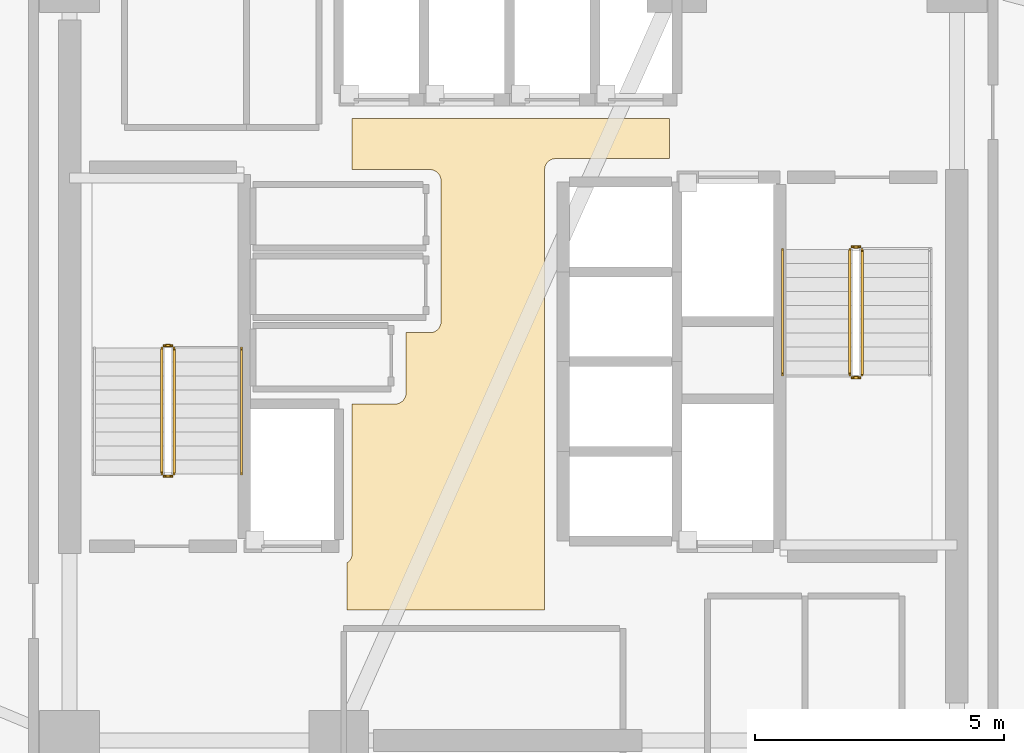
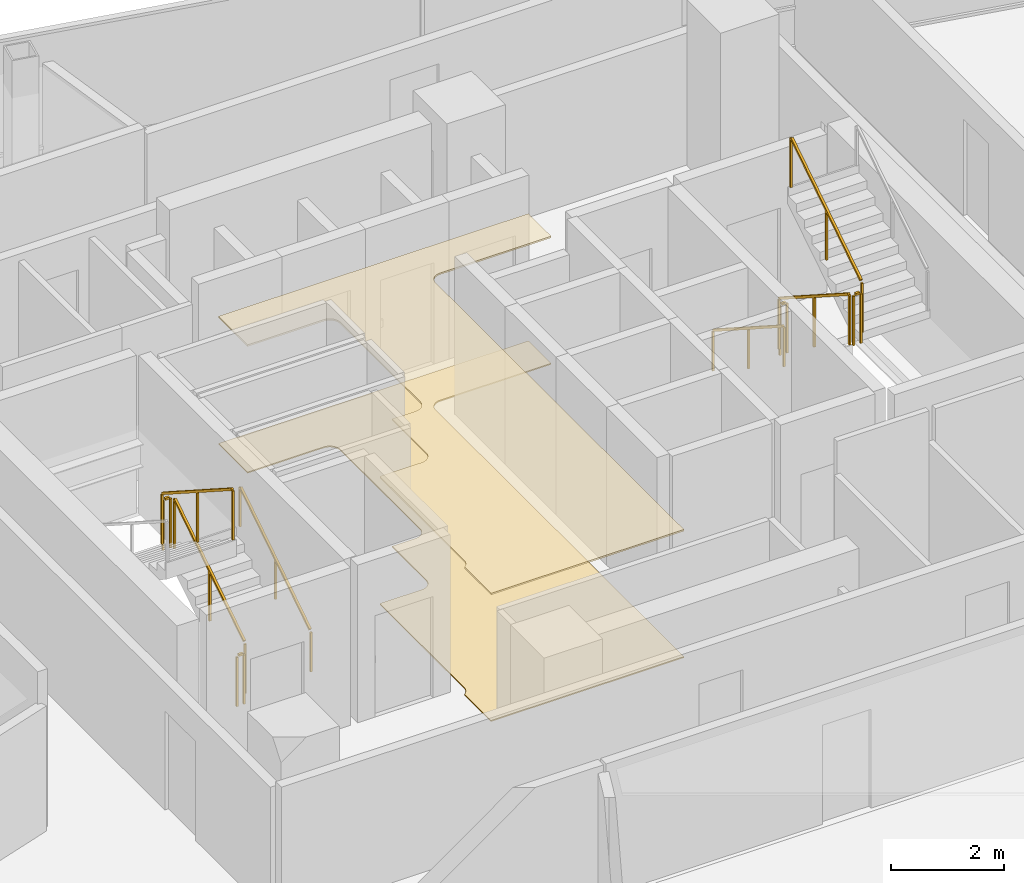
# One storey, part 16 of 17: 10 railings, 2 coverings.
"""IFC4 building model written with IfcOpenShell, lengths in metres."""

from ifc_helpers import new_model, si_unit, direction, frame, origin, origin_2d, place, context, subcontext, project, spatial, polyline, rectangle, outline, extrude, material, layer, layer_set, type_object, element, save


model = new_model("IFC4")

# Units and contexts
model_context = context("Model", 3, precision=1e-05, world=origin(), true_north=direction((0.0, 1.0)))
body_context = subcontext(model_context, "Body", "Model", "MODEL_VIEW")
ifc_project = project(units=[si_unit("LENGTHUNIT", "METRE"), si_unit("AREAUNIT", "SQUARE_METRE"), si_unit("VOLUMEUNIT", "CUBIC_METRE"), si_unit("PLANEANGLEUNIT", "RADIAN"), si_unit("MASSUNIT", "GRAM", prefix="KILO")], contexts=[model_context])

# Site, building, storey
site_placement = place(None, origin())
site = spatial("IfcSite", under=ifc_project, at=site_placement, CompositionType="ELEMENT")
building_placement = place(site_placement, origin())
building = spatial("IfcBuilding", under=site, at=building_placement, Name="Tharavind Bronze Gate", CompositionType="ELEMENT")
storey_placement = place(building_placement, frame((0.0, 0.0, 207.64990234375)))
storey = spatial("IfcBuildingStorey", under=building, at=storey_placement, Name="L53", CompositionType="ELEMENT", Elevation=207.64990234375)

# Coverings
ifc_material_1 = material(Name="Perforated Bronze Acoustic Panel", Category="bronze")
ifc_layer_1 = layer(ifc_material_1, 0.044921875)
ifc_layer_set_1 = layer_set([ifc_layer_1], Name="Perforated Bronze Acoustic Panel")
covering_type_1 = type_object("IfcCoveringType", Name="ACOUSTIC BRONZE BAFFLE CEILING", PredefinedType="CEILING", material=ifc_layer_set_1)
covering_1_placement = place(storey_placement, frame((0.0, 0.0, 2.75)))
element("IfcCovering", 1, at=covering_1_placement, inside=storey, type_object=covering_type_1, Name="L53-C-LL suspended ceiling", PredefinedType="CEILING", context=body_context, shape_type="SweptSolid", body=[
    extrude(outline(polyline([(-3.330078125, -4.97998046875), (0.6298828125, -4.97998046875), (0.6298828125, 3.85009765625), (0.631103515625, 3.87158203125), (0.63427734375, 3.892822265625), (0.639404296875, 3.913818359375), (0.646728515625, 3.93408203125), (0.656005859375, 3.95361328125), (0.6669921875, 3.97216796875), (0.679931640625, 3.989501953125), (0.6943359375, 4.005615234375), (0.71044921875, 4.02001953125), (0.727783203125, 4.032958984375), (0.746337890625, 4.0439453125), (0.765869140625, 4.05322265625), (0.7861328125, 4.060546875), (0.80712890625, 4.06591796875), (0.828369140625, 4.06884765625), (0.85009765625, 4.070068359375), (3.1298828125, 4.070068359375), (3.1298828125, 4.8798828125), (-3.22998046875, 4.8798828125), (-3.22998046875, 3.85009765625), (-1.669921875, 3.85009765625), (-1.6484375, 3.848876953125), (-1.627197265625, 3.845703125), (-1.606201171875, 3.840576171875), (-1.585693359375, 3.833251953125), (-1.56640625, 3.823974609375), (-1.5478515625, 3.81298828125), (-1.530517578125, 3.800048828125), (-1.514404296875, 3.78564453125), (-1.5, 3.76953125), (-1.487060546875, 3.752197265625), (-1.47607421875, 3.733642578125), (-1.466796875, 3.714111328125), (-1.45947265625, 3.69384765625), (-1.4541015625, 3.6728515625), (-1.451171875, 3.651611328125), (-1.449951171875, 3.6298828125), (-1.449951171875, 0.800048828125), (-1.451171875, 0.7783203125), (-1.4541015625, 0.757080078125), (-1.45947265625, 0.736083984375), (-1.466796875, 0.7158203125), (-1.47607421875, 0.6962890625), (-1.487060546875, 0.677734375), (-1.5, 0.660400390625), (-1.514404296875, 0.644287109375), (-1.530517578125, 0.6298828125), (-1.5478515625, 0.6171875), (-1.56640625, 0.60595703125), (-1.585693359375, 0.5966796875), (-1.606201171875, 0.589599609375), (-1.627197265625, 0.584228515625), (-1.6484375, 0.5810546875), (-1.669921875, 0.580078125), (-2.14990234375, 0.580078125), (-2.14990234375, -0.6298828125), (-2.151123046875, -0.651611328125), (-2.154296875, -0.6728515625), (-2.159423828125, -0.69384765625), (-2.166748046875, -0.714111328125), (-2.176025390625, -0.733642578125), (-2.18701171875, -0.752197265625), (-2.199951171875, -0.76953125), (-2.21435546875, -0.78564453125), (-2.23046875, -0.800048828125), (-2.247802734375, -0.81298828125), (-2.266357421875, -0.823974609375), (-2.285888671875, -0.833251953125), (-2.30615234375, -0.840576171875), (-2.3271484375, -0.845703125), (-2.348388671875, -0.848876953125), (-2.3701171875, -0.85009765625), (-3.22998046875, -0.85009765625), (-3.22998046875, -3.85009765625), (-3.231201171875, -3.87158203125), (-3.234130859375, -3.892822265625), (-3.239501953125, -3.913818359375), (-3.24658203125, -3.93408203125), (-3.256103515625, -3.95361328125), (-3.26708984375, -3.97216796875), (-3.27978515625, -3.989501953125), (-3.29443359375, -4.005615234375), (-3.310302734375, -4.02001953125), (-3.327880859375, -4.032958984375), (-3.330078125, -4.0341796875), (-3.330078125, -4.97998046875)])), origin(), (0.0, 0.0, 1.0), 0.03515625),
])
ifc_material_2 = material(Name="Honed Travertine Limestone", Category="masonry")
ifc_layer_2 = layer(ifc_material_2, 0.030029296875)
ifc_layer_set_2 = layer_set([ifc_layer_2], Name="Honed Travertine Limestone")
covering_type_2 = type_object("IfcCoveringType", Name="HONED LIMESTONE FLOORING", PredefinedType="FLOORING", material=ifc_layer_set_2)
covering_2_placement = place(storey_placement, origin())
element("IfcCovering", 2, at=covering_2_placement, inside=storey, type_object=covering_type_2, Name="L53-C-LL floor finish", PredefinedType="FLOORING", context=body_context, shape_type="SweptSolid", body=[
    extrude(outline(polyline([(-3.330078125, -4.97998046875), (0.6298828125, -4.97998046875), (0.6298828125, 3.85009765625), (0.631103515625, 3.87158203125), (0.63427734375, 3.892822265625), (0.639404296875, 3.913818359375), (0.646728515625, 3.93408203125), (0.656005859375, 3.95361328125), (0.6669921875, 3.97216796875), (0.679931640625, 3.989501953125), (0.6943359375, 4.005615234375), (0.71044921875, 4.02001953125), (0.727783203125, 4.032958984375), (0.746337890625, 4.0439453125), (0.765869140625, 4.05322265625), (0.7861328125, 4.060546875), (0.80712890625, 4.06591796875), (0.828369140625, 4.06884765625), (0.85009765625, 4.070068359375), (3.1298828125, 4.070068359375), (3.1298828125, 4.8798828125), (-3.22998046875, 4.8798828125), (-3.22998046875, 3.85009765625), (-1.669921875, 3.85009765625), (-1.6484375, 3.848876953125), (-1.627197265625, 3.845703125), (-1.606201171875, 3.840576171875), (-1.585693359375, 3.833251953125), (-1.56640625, 3.823974609375), (-1.5478515625, 3.81298828125), (-1.530517578125, 3.800048828125), (-1.514404296875, 3.78564453125), (-1.5, 3.76953125), (-1.487060546875, 3.752197265625), (-1.47607421875, 3.733642578125), (-1.466796875, 3.714111328125), (-1.45947265625, 3.69384765625), (-1.4541015625, 3.6728515625), (-1.451171875, 3.651611328125), (-1.449951171875, 3.6298828125), (-1.449951171875, 0.800048828125), (-1.451171875, 0.7783203125), (-1.4541015625, 0.757080078125), (-1.45947265625, 0.736083984375), (-1.466796875, 0.7158203125), (-1.47607421875, 0.6962890625), (-1.487060546875, 0.677734375), (-1.5, 0.660400390625), (-1.514404296875, 0.644287109375), (-1.530517578125, 0.6298828125), (-1.5478515625, 0.6171875), (-1.56640625, 0.60595703125), (-1.585693359375, 0.5966796875), (-1.606201171875, 0.589599609375), (-1.627197265625, 0.584228515625), (-1.6484375, 0.5810546875), (-1.669921875, 0.580078125), (-2.14990234375, 0.580078125), (-2.14990234375, -0.6298828125), (-2.151123046875, -0.651611328125), (-2.154296875, -0.6728515625), (-2.159423828125, -0.69384765625), (-2.166748046875, -0.714111328125), (-2.176025390625, -0.733642578125), (-2.18701171875, -0.752197265625), (-2.199951171875, -0.76953125), (-2.21435546875, -0.78564453125), (-2.23046875, -0.800048828125), (-2.247802734375, -0.81298828125), (-2.266357421875, -0.823974609375), (-2.285888671875, -0.833251953125), (-2.30615234375, -0.840576171875), (-2.3271484375, -0.845703125), (-2.348388671875, -0.848876953125), (-2.3701171875, -0.85009765625), (-3.22998046875, -0.85009765625), (-3.22998046875, -3.85009765625), (-3.231201171875, -3.87158203125), (-3.234130859375, -3.892822265625), (-3.239501953125, -3.913818359375), (-3.24658203125, -3.93408203125), (-3.256103515625, -3.95361328125), (-3.26708984375, -3.97216796875), (-3.27978515625, -3.989501953125), (-3.29443359375, -4.005615234375), (-3.310302734375, -4.02001953125), (-3.327880859375, -4.032958984375), (-3.330078125, -4.0341796875), (-3.330078125, -4.97998046875)])), origin(), (0.0, 0.0, 1.0), 0.025146484375),
])

# Railings
ifc_material_3 = material(Name="Brushed Bronze Alloy", Category="metal")
railing_type_1 = type_object("IfcRailingType", Name="STAIR BRONZE HANDRAIL 900", PredefinedType="HANDRAIL", material=ifc_material_3)
railing_1_placement = place(storey_placement, frame((-5.449951171875, -2.25, 0.18017578125)))
element("IfcRailing", 3, at=railing_1_placement, inside=storey, type_object=railing_type_1, Name="L53 ST1 stair handrail 1", PredefinedType="HANDRAIL", context=body_context, shape_type="SweptSolid", body=[
    extrude(rectangle(XDim=0.048095703125, YDim=0.048095703125, at=origin_2d()), frame((0.0, 0.02685546875, 0.89306640625), z_axis=(0.0, 0.841199657755, 0.540724639528), x_axis=(-1.0, 0.0, 0.0)), (0.0, 0.0, 1.0), 2.931640625),
    extrude(rectangle(XDim=0.0400390625, YDim=0.0400390625, at=origin_2d()), origin(), (0.0, 0.0, 1.0), 0.847900390625),
    extrude(rectangle(XDim=0.0400390625, YDim=0.0400390625, at=origin_2d()), frame((0.0, 1.260009765625, 0.81005859375)), (0.0, 0.0, 1.0), 0.847900390625),
    extrude(rectangle(XDim=0.0400390625, YDim=0.0400390625, at=origin_2d()), frame((0.0, 2.52001953125, 1.619873046875)), (0.0, 0.0, 1.0), 0.847900390625),
])
railing_2_placement = place(storey_placement, frame((5.39990234375, 2.25, 0.18017578125)))
element("IfcRailing", 4, at=railing_2_placement, inside=storey, type_object=railing_type_1, Name="L53 ST2 stair handrail 1", PredefinedType="HANDRAIL", context=body_context, shape_type="SweptSolid", body=[
    extrude(rectangle(XDim=0.048095703125, YDim=0.048095703125, at=origin_2d()), frame((0.0, -0.02685546875, 0.89306640625), z_axis=(0.0, -0.841199657755, 0.540724639528), x_axis=(1.0, 0.0, 0.0)), (0.0, 0.0, 1.0), 2.931640625),
    extrude(rectangle(XDim=0.0400390625, YDim=0.0400390625, at=origin_2d()), origin(), (0.0, 0.0, 1.0), 0.847900390625),
    extrude(rectangle(XDim=0.0400390625, YDim=0.0400390625, at=origin_2d()), frame((0.0, -1.260009765625, 0.81005859375)), (0.0, 0.0, 1.0), 0.847900390625),
    extrude(rectangle(XDim=0.0400390625, YDim=0.0400390625, at=origin_2d()), frame((0.0, -2.52001953125, 1.619873046875)), (0.0, 0.0, 1.0), 0.847900390625),
])
railing_type_2 = type_object("IfcRailingType", Name="STAIR WELL GUARD RAILING 1120", PredefinedType="GUARDRAIL", material=ifc_material_3)
railing_3_placement = place(storey_placement, frame((-6.800048828125, -2.25, 0.18017578125)))
element("IfcRailing", 5, at=railing_3_placement, inside=storey, type_object=railing_type_2, Name="L53 ST1 stair guard 1", PredefinedType="GUARDRAIL", context=body_context, shape_type="SweptSolid", body=[
    extrude(rectangle(XDim=0.048095703125, YDim=0.048095703125, at=origin_2d()), frame((0.0, 0.02685546875, 1.11328125), z_axis=(0.0, 0.841199657755, 0.540724639528), x_axis=(-1.0, 0.0, 0.0)), (0.0, 0.0, 1.0), 2.931640625),
    extrude(rectangle(XDim=0.0400390625, YDim=0.0400390625, at=origin_2d()), origin(), (0.0, 0.0, 1.0), 1.068115234375),
    extrude(rectangle(XDim=0.0400390625, YDim=0.0400390625, at=origin_2d()), frame((0.0, 1.260009765625, 0.81005859375)), (0.0, 0.0, 1.0), 1.068115234375),
    extrude(rectangle(XDim=0.0400390625, YDim=0.0400390625, at=origin_2d()), frame((0.0, 2.52001953125, 1.619873046875)), (0.0, 0.0, 1.0), 1.068115234375),
])
railing_4_placement = place(storey_placement, frame((-6.85009765625, 0.320068359375, 1.800048828125)))
element("IfcRailing", 6, at=railing_4_placement, inside=storey, type_object=railing_type_2, Name="L53 ST1 stair guard 2", PredefinedType="GUARDRAIL", context=body_context, shape_type="SweptSolid", body=[
    extrude(rectangle(XDim=0.048095703125, YDim=0.048095703125, at=origin_2d()), frame((-0.031982421875, 0.0, 1.09619140625), z_axis=(-1.0, 0.0, 0.0), x_axis=(0.0, -1.0, 0.0)), (0.0, 0.0, 1.0), 0.0859375),
    extrude(rectangle(XDim=0.0400390625, YDim=0.0400390625, at=origin_2d()), origin(), (0.0, 0.0, 1.0), 1.068115234375),
    extrude(rectangle(XDim=0.0400390625, YDim=0.0400390625, at=origin_2d()), frame((-0.14990234375, 0.0, 0.0)), (0.0, 0.0, 1.0), 1.068115234375),
])
railing_5_placement = place(storey_placement, frame((-7.050048828125, 0.27001953125, 1.97998046875)))
element("IfcRailing", 7, at=railing_5_placement, inside=storey, type_object=railing_type_2, Name="L53 ST1 stair guard 3", PredefinedType="GUARDRAIL", context=body_context, shape_type="SweptSolid", body=[
    extrude(rectangle(XDim=0.048095703125, YDim=0.048095703125, at=origin_2d()), frame((0.0, -0.02685546875, 1.11328125), z_axis=(0.0, -0.841162588446, 0.540782303519), x_axis=(1.0, 0.0, 0.0)), (0.0, 0.0, 1.0), 2.931884765625),
    extrude(rectangle(XDim=0.0400390625, YDim=0.0400390625, at=origin_2d()), origin(), (0.0, 0.0, 1.0), 1.068115234375),
    extrude(rectangle(XDim=0.0400390625, YDim=0.0400390625, at=origin_2d()), frame((0.0, -1.260009765625, 0.81005859375)), (0.0, 0.0, 1.0), 1.068115234375),
    extrude(rectangle(XDim=0.0400390625, YDim=0.0400390625, at=origin_2d()), frame((0.0, -2.52001953125, 1.6201171875)), (0.0, 0.0, 1.0), 1.068115234375),
])
railing_6_placement = place(storey_placement, frame((-6.85009765625, -2.300048828125, 0.0)))
element("IfcRailing", 8, at=railing_6_placement, inside=storey, type_object=railing_type_2, Name="L53 ST1 stair guard 4", PredefinedType="GUARDRAIL", context=body_context, shape_type="SweptSolid", body=[
    extrude(rectangle(XDim=0.048095703125, YDim=0.048095703125, at=origin_2d()), frame((-0.031982421875, 0.0, 1.09619140625), z_axis=(-1.0, 0.0, 0.0), x_axis=(0.0, -1.0, 0.0)), (0.0, 0.0, 1.0), 0.0859375),
    extrude(rectangle(XDim=0.0400390625, YDim=0.0400390625, at=origin_2d()), origin(), (0.0, 0.0, 1.0), 1.068115234375),
    extrude(rectangle(XDim=0.0400390625, YDim=0.0400390625, at=origin_2d()), frame((-0.14990234375, 0.0, 0.0)), (0.0, 0.0, 1.0), 1.068115234375),
])
railing_7_placement = place(storey_placement, frame((6.75, 2.25, 0.18017578125)))
element("IfcRailing", 9, at=railing_7_placement, inside=storey, type_object=railing_type_2, Name="L53 ST2 stair guard 1", PredefinedType="GUARDRAIL", context=body_context, shape_type="SweptSolid", body=[
    extrude(rectangle(XDim=0.048095703125, YDim=0.048095703125, at=origin_2d()), frame((0.0, -0.02685546875, 1.11328125), z_axis=(0.0, -0.841199657755, 0.540724639528), x_axis=(1.0, 0.0, 0.0)), (0.0, 0.0, 1.0), 2.931640625),
    extrude(rectangle(XDim=0.0400390625, YDim=0.0400390625, at=origin_2d()), origin(), (0.0, 0.0, 1.0), 1.068115234375),
    extrude(rectangle(XDim=0.0400390625, YDim=0.0400390625, at=origin_2d()), frame((0.0, -1.260009765625, 0.81005859375)), (0.0, 0.0, 1.0), 1.068115234375),
    extrude(rectangle(XDim=0.0400390625, YDim=0.0400390625, at=origin_2d()), frame((0.0, -2.52001953125, 1.619873046875)), (0.0, 0.0, 1.0), 1.068115234375),
])
railing_8_placement = place(storey_placement, frame((6.800048828125, -0.320068359375, 1.800048828125)))
element("IfcRailing", 10, at=railing_8_placement, inside=storey, type_object=railing_type_2, Name="L53 ST2 stair guard 2", PredefinedType="GUARDRAIL", context=body_context, shape_type="SweptSolid", body=[
    extrude(rectangle(XDim=0.048095703125, YDim=0.048095703125, at=origin_2d()), frame((0.031982421875, 0.0, 1.09619140625), z_axis=(1.0, 0.0, 0.0), x_axis=(0.0, 1.0, 0.0)), (0.0, 0.0, 1.0), 0.0859375),
    extrude(rectangle(XDim=0.0400390625, YDim=0.0400390625, at=origin_2d()), origin(), (0.0, 0.0, 1.0), 1.068115234375),
    extrude(rectangle(XDim=0.0400390625, YDim=0.0400390625, at=origin_2d()), frame((0.14990234375, 0.0, 0.0)), (0.0, 0.0, 1.0), 1.068115234375),
])
railing_9_placement = place(storey_placement, frame((7.0, -0.27001953125, 1.97998046875)))
element("IfcRailing", 11, at=railing_9_placement, inside=storey, type_object=railing_type_2, Name="L53 ST2 stair guard 3", PredefinedType="GUARDRAIL", context=body_context, shape_type="SweptSolid", body=[
    extrude(rectangle(XDim=0.048095703125, YDim=0.048095703125, at=origin_2d()), frame((0.0, 0.02685546875, 1.11328125), z_axis=(0.0, 0.841162588446, 0.540782303519), x_axis=(-1.0, 0.0, 0.0)), (0.0, 0.0, 1.0), 2.931884765625),
    extrude(rectangle(XDim=0.0400390625, YDim=0.0400390625, at=origin_2d()), origin(), (0.0, 0.0, 1.0), 1.068115234375),
    extrude(rectangle(XDim=0.0400390625, YDim=0.0400390625, at=origin_2d()), frame((0.0, 1.260009765625, 0.81005859375)), (0.0, 0.0, 1.0), 1.068115234375),
    extrude(rectangle(XDim=0.0400390625, YDim=0.0400390625, at=origin_2d()), frame((0.0, 2.52001953125, 1.6201171875)), (0.0, 0.0, 1.0), 1.068115234375),
])
railing_10_placement = place(storey_placement, frame((6.800048828125, 2.300048828125, 0.0)))
element("IfcRailing", 12, at=railing_10_placement, inside=storey, type_object=railing_type_2, Name="L53 ST2 stair guard 4", PredefinedType="GUARDRAIL", context=body_context, shape_type="SweptSolid", body=[
    extrude(rectangle(XDim=0.048095703125, YDim=0.048095703125, at=origin_2d()), frame((0.031982421875, 0.0, 1.09619140625), z_axis=(1.0, 0.0, 0.0), x_axis=(0.0, 1.0, 0.0)), (0.0, 0.0, 1.0), 0.0859375),
    extrude(rectangle(XDim=0.0400390625, YDim=0.0400390625, at=origin_2d()), origin(), (0.0, 0.0, 1.0), 1.068115234375),
    extrude(rectangle(XDim=0.0400390625, YDim=0.0400390625, at=origin_2d()), frame((0.14990234375, 0.0, 0.0)), (0.0, 0.0, 1.0), 1.068115234375),
])

save(model, "model.ifc")
